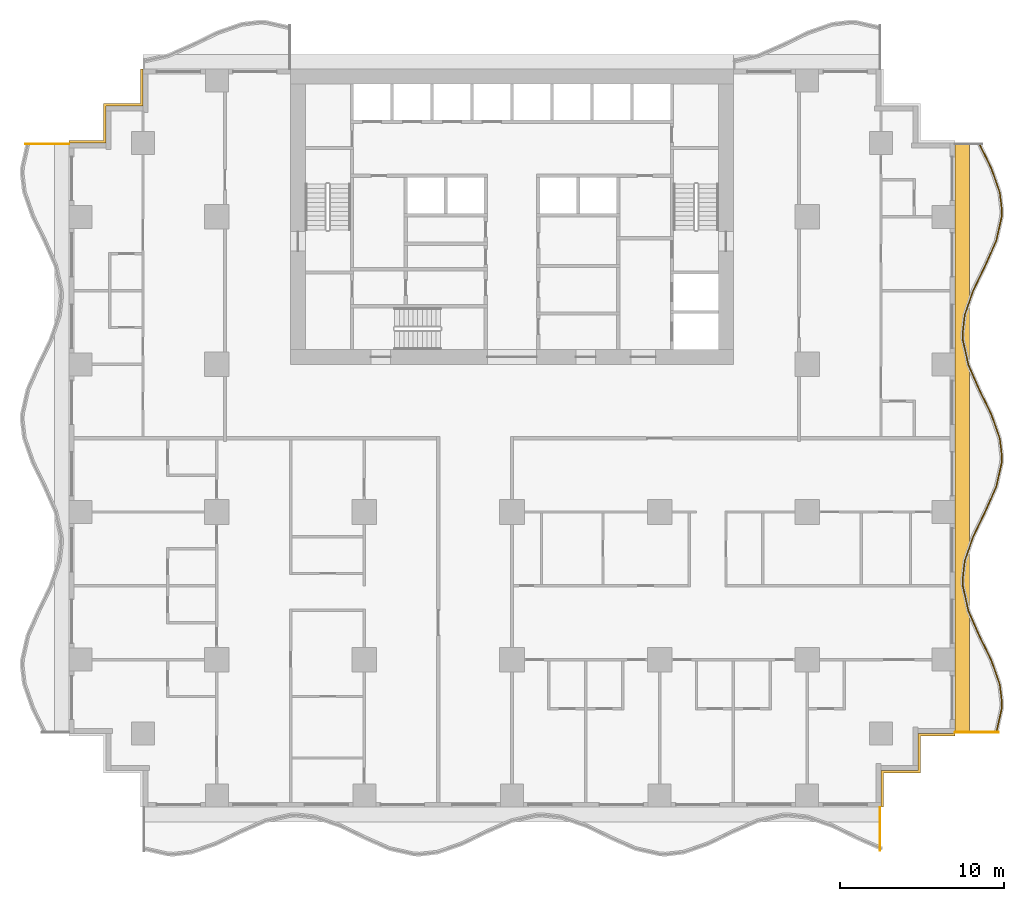
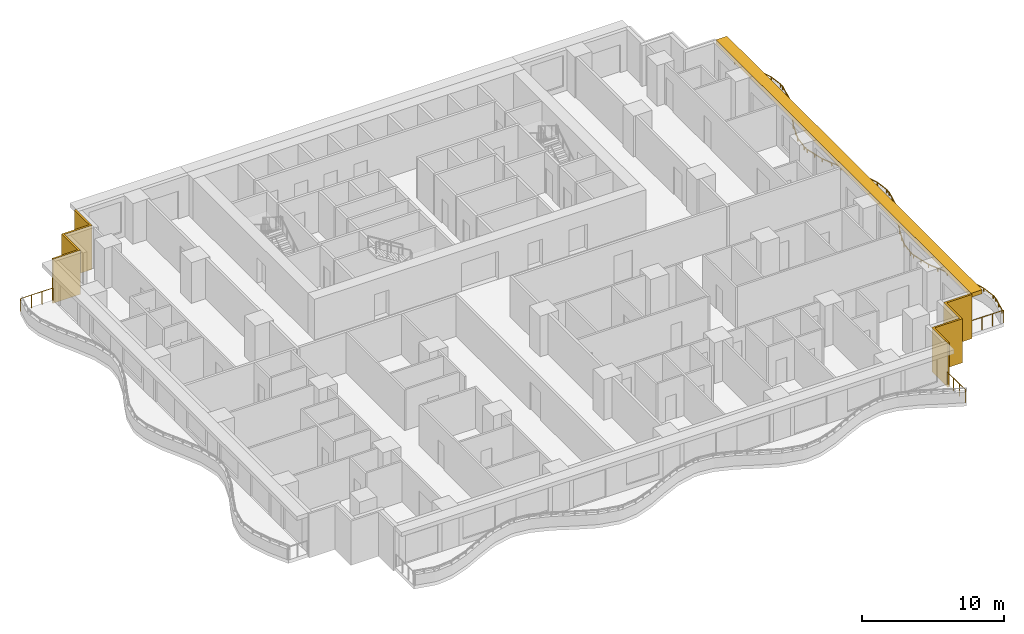
# One storey, part 11 of 14: 4 railings, 3 shading devices.
"""IFC4 building model written with IfcOpenShell, lengths in metres."""

from ifc_helpers import new_model, si_unit, direction, frame, origin, origin_2d, place, context, subcontext, project, spatial, polyline, rectangle, outline, extrude, material, layer, layer_set, type_object, element, save


model = new_model("IFC4")

# Units and contexts
model_context = context("Model", 3, precision=1e-05, world=origin(), true_north=direction((0.0, 1.0)))
body_context = subcontext(model_context, "Body", "Model", "MODEL_VIEW")
ifc_project = project(units=[si_unit("LENGTHUNIT", "METRE"), si_unit("AREAUNIT", "SQUARE_METRE"), si_unit("VOLUMEUNIT", "CUBIC_METRE"), si_unit("PLANEANGLEUNIT", "RADIAN"), si_unit("MASSUNIT", "GRAM", prefix="KILO")], contexts=[model_context])

# Site, building, storey
site_placement = place(None, origin())
site = spatial("IfcSite", under=ifc_project, at=site_placement, CompositionType="ELEMENT")
building_placement = place(site_placement, origin())
building = spatial("IfcBuilding", under=site, at=building_placement, Name="Orbiselva Terraces", CompositionType="ELEMENT")
storey_placement = place(building_placement, frame((0.0, 0.0, 49.2)))
storey = spatial("IfcBuildingStorey", under=building, at=storey_placement, Name="L12", CompositionType="ELEMENT", Elevation=49.2)

# Railings
ifc_material_1 = material(Name="Bonded two-ply safety glass balustrade, stainless steel posts", Category="steel")
railing_type_1 = type_object("IfcRailingType", Name="ENV-BALUSTRADE-1200", PredefinedType="BALUSTRADE", material=ifc_material_1)
railing_1_placement = place(storey_placement, frame((29.526563, -17.972623, 0.9)))
element("IfcRailing", 1, at=railing_1_placement, inside=storey, type_object=railing_type_1, Name="Balcony balustrade L12 E", PredefinedType="BALUSTRADE", context=body_context, shape_type="SweptSolid", body=[
    extrude(outline(polyline([(0.028868, 0.0), (0.014434, 0.025), (-0.014434, 0.025), (-0.028868, 0.0), (-0.014434, -0.025), (0.014434, -0.025), (0.028868, 0.0)])), frame((0.0, 0.0, 0.275), z_axis=(0.21901575501, 0.975721322437, 0.0), x_axis=(-0.975721322437, 0.21901575501, 0.0)), (0.0, 0.0, 1.0), 1.525954),
    extrude(outline(polyline([(0.028868, 0.0), (0.014434, 0.025), (-0.014434, 0.025), (-0.028868, 0.0), (-0.014434, -0.025), (0.014434, -0.025), (0.028868, 0.0)])), frame((0.334208, 1.488906, 0.275), z_axis=(0.039364150694, 0.999224931454, 0.0), x_axis=(-0.999224931454, 0.039364150694, 0.0)), (0.0, 0.0, 1.0), 0.354206),
    extrude(outline(polyline([(0.028868, 0.0), (0.014434, 0.025), (-0.014434, 0.025), (-0.028868, 0.0), (-0.014434, -0.025), (0.014434, -0.025), (0.028868, 0.0)])), frame((0.348151, 1.842837, 0.275), z_axis=(-0.115481264762, 0.993309658409, 0.0), x_axis=(-0.993309658409, -0.115481264762, 0.0)), (0.0, 0.0, 1.0), 1.10902),
    extrude(outline(polyline([(0.028868, 0.0), (0.014434, 0.025), (-0.014434, 0.025), (-0.028868, 0.0), (-0.014434, -0.025), (0.014434, -0.025), (0.028868, 0.0)])), frame((0.22008, 2.944437, 0.275), z_axis=(-0.330024754707, 0.943972277814, 0.0), x_axis=(-0.943972277814, -0.330024754707, 0.0)), (0.0, 0.0, 1.0), 1.567807),
    extrude(outline(polyline([(0.028868, 0.0), (0.014434, 0.025), (-0.014434, 0.025), (-0.028868, 0.0), (-0.014434, -0.025), (0.014434, -0.025), (0.028868, 0.0)])), frame((-0.297335, 4.424403, 0.275), z_axis=(-0.438811978768, 0.89857890432, 0.0), x_axis=(-0.89857890432, -0.438811978768, 0.0)), (0.0, 0.0, 1.0), 1.66438),
    extrude(outline(polyline([(0.028868, 0.0), (0.014434, 0.025), (-0.014434, 0.025), (-0.028868, 0.0), (-0.014434, -0.025), (0.014434, -0.025), (0.028868, 0.0)])), frame((-1.027685, 5.91998, 0.275), z_axis=(-0.403150874148, 0.915133527237, 0.0), x_axis=(-0.915133527237, -0.403150874148, 0.0)), (0.0, 0.0, 1.0), 1.653736),
    extrude(outline(polyline([(0.028868, 0.0), (0.014434, 0.025), (-0.014434, 0.025), (-0.028868, 0.0), (-0.014434, -0.025), (0.014434, -0.025), (0.028868, 0.0)])), frame((-1.69439, 7.433369, 0.275), z_axis=(-0.219015500924, 0.97572137947, 0.0), x_axis=(-0.97572137947, -0.219015500924, 0.0)), (0.0, 0.0, 1.0), 1.560867),
    extrude(outline(polyline([(0.028868, 0.0), (0.014434, 0.025), (-0.014434, 0.025), (-0.028868, 0.0), (-0.014434, -0.025), (0.014434, -0.025), (0.028868, 0.0)])), frame((-2.036244, 8.95634, 0.275), z_axis=(-0.03936915532, 0.999224734286, 0.0), x_axis=(-0.999224734286, -0.03936915532, 0.0)), (0.0, 0.0, 1.0), 0.396376),
    extrude(outline(polyline([(0.028868, 0.0), (0.014434, 0.025), (-0.014434, 0.025), (-0.028868, 0.0), (-0.014434, -0.025), (0.014434, -0.025), (0.028868, 0.0)])), frame((-2.051849, 9.352409, 0.275), z_axis=(0.115482182324, 0.993309551734, 0.0), x_axis=(-0.993309551734, 0.115482182324, 0.0)), (0.0, 0.0, 1.0), 1.156135),
    extrude(outline(polyline([(0.028868, 0.0), (0.014434, 0.025), (-0.014434, 0.025), (-0.028868, 0.0), (-0.014434, -0.025), (0.014434, -0.025), (0.028868, 0.0)])), frame((-1.918336, 10.500809, 0.275), z_axis=(0.330024597479, 0.943972332783, 0.0), x_axis=(-0.943972332783, 0.330024597479, 0.0)), (0.0, 0.0, 1.0), 1.610253),
    extrude(outline(polyline([(0.028868, 0.0), (0.014434, 0.025), (-0.014434, 0.025), (-0.028868, 0.0), (-0.014434, -0.025), (0.014434, -0.025), (0.028868, 0.0)])), frame((-1.386913, 12.020843, 0.275), z_axis=(0.438812048596, 0.898578870221, 0.0), x_axis=(-0.898578870221, 0.438812048596, 0.0)), (0.0, 0.0, 1.0), 1.674225),
    extrude(outline(polyline([(0.028868, 0.0), (0.014434, 0.025), (-0.014434, 0.025), (-0.028868, 0.0), (-0.014434, -0.025), (0.014434, -0.025), (0.028868, 0.0)])), frame((-0.652243, 13.525266, 0.275), z_axis=(0.403151245402, 0.915133363686, 0.0), x_axis=(-0.915133363686, 0.403151245402, 0.0)), (0.0, 0.0, 1.0), 1.624475),
    extrude(outline(polyline([(0.028868, 0.0), (0.014434, 0.025), (-0.014434, 0.025), (-0.028868, 0.0), (-0.014434, -0.025), (0.014434, -0.025), (0.028868, 0.0)])), frame((0.002666, 15.011877, 0.275), z_axis=(0.219015740235, 0.975721325753, 0.0), x_axis=(-0.975721325753, 0.219015740235, 0.0)), (0.0, 0.0, 1.0), 1.513782),
    extrude(outline(polyline([(0.028868, 0.0), (0.014434, 0.025), (-0.014434, 0.025), (-0.028868, 0.0), (-0.014434, -0.025), (0.014434, -0.025), (0.028868, 0.0)])), frame((0.334208, 16.488906, 0.275), z_axis=(0.039364150694, 0.999224931454, 0.0), x_axis=(-0.999224931454, 0.039364150694, 0.0)), (0.0, 0.0, 1.0), 0.354206),
    extrude(outline(polyline([(0.028868, 0.0), (0.014434, 0.025), (-0.014434, 0.025), (-0.028868, 0.0), (-0.014434, -0.025), (0.014434, -0.025), (0.028868, 0.0)])), frame((0.348151, 16.842837, 0.275), z_axis=(-0.115481264762, 0.993309658409, 0.0), x_axis=(-0.993309658409, -0.115481264762, 0.0)), (0.0, 0.0, 1.0), 1.10902),
    extrude(outline(polyline([(0.028868, 0.0), (0.014434, 0.025), (-0.014434, 0.025), (-0.028868, 0.0), (-0.014434, -0.025), (0.014434, -0.025), (0.028868, 0.0)])), frame((0.22008, 17.944437, 0.275), z_axis=(-0.330024754707, 0.943972277814, 0.0), x_axis=(-0.943972277814, -0.330024754707, 0.0)), (0.0, 0.0, 1.0), 1.567807),
    extrude(outline(polyline([(0.028868, 0.0), (0.014434, 0.025), (-0.014434, 0.025), (-0.028868, 0.0), (-0.014434, -0.025), (0.014434, -0.025), (0.028868, 0.0)])), frame((-0.297335, 19.424403, 0.275), z_axis=(-0.438811978768, 0.89857890432, 0.0), x_axis=(-0.89857890432, -0.438811978768, 0.0)), (0.0, 0.0, 1.0), 1.66438),
    extrude(outline(polyline([(0.028868, 0.0), (0.014434, 0.025), (-0.014434, 0.025), (-0.028868, 0.0), (-0.014434, -0.025), (0.014434, -0.025), (0.028868, 0.0)])), frame((-1.027685, 20.91998, 0.275), z_axis=(-0.403150874148, 0.915133527237, 0.0), x_axis=(-0.915133527237, -0.403150874148, 0.0)), (0.0, 0.0, 1.0), 1.653736),
    extrude(outline(polyline([(0.028868, 0.0), (0.014434, 0.025), (-0.014434, 0.025), (-0.028868, 0.0), (-0.014434, -0.025), (0.014434, -0.025), (0.028868, 0.0)])), frame((-1.69439, 22.433369, 0.275), z_axis=(-0.219015500924, 0.97572137947, 0.0), x_axis=(-0.97572137947, -0.219015500924, 0.0)), (0.0, 0.0, 1.0), 1.560867),
    extrude(outline(polyline([(0.028868, 0.0), (0.014434, 0.025), (-0.014434, 0.025), (-0.028868, 0.0), (-0.014434, -0.025), (0.014434, -0.025), (0.028868, 0.0)])), frame((-2.036244, 23.95634, 0.275), z_axis=(-0.03936915532, 0.999224734286, 0.0), x_axis=(-0.999224734286, -0.03936915532, 0.0)), (0.0, 0.0, 1.0), 0.396376),
    extrude(outline(polyline([(0.028868, 0.0), (0.014434, 0.025), (-0.014434, 0.025), (-0.028868, 0.0), (-0.014434, -0.025), (0.014434, -0.025), (0.028868, 0.0)])), frame((-2.051849, 24.352409, 0.275), z_axis=(0.115482182324, 0.993309551734, 0.0), x_axis=(-0.993309551734, 0.115482182324, 0.0)), (0.0, 0.0, 1.0), 1.156135),
    extrude(outline(polyline([(0.028868, 0.0), (0.014434, 0.025), (-0.014434, 0.025), (-0.028868, 0.0), (-0.014434, -0.025), (0.014434, -0.025), (0.028868, 0.0)])), frame((-1.918336, 25.500809, 0.275), z_axis=(0.330024597479, 0.943972332783, 0.0), x_axis=(-0.943972332783, 0.330024597479, 0.0)), (0.0, 0.0, 1.0), 1.610253),
    extrude(outline(polyline([(0.028868, 0.0), (0.014434, 0.025), (-0.014434, 0.025), (-0.028868, 0.0), (-0.014434, -0.025), (0.014434, -0.025), (0.028868, 0.0)])), frame((-1.386913, 27.020843, 0.275), z_axis=(0.438812048596, 0.898578870221, 0.0), x_axis=(-0.898578870221, 0.438812048596, 0.0)), (0.0, 0.0, 1.0), 1.674225),
    extrude(outline(polyline([(0.028868, 0.0), (0.014434, 0.025), (-0.014434, 0.025), (-0.028868, 0.0), (-0.014434, -0.025), (0.014434, -0.025), (0.028868, 0.0)])), frame((-0.652243, 28.525266, 0.275), z_axis=(0.403151245402, 0.915133363686, 0.0), x_axis=(-0.915133363686, 0.403151245402, 0.0)), (0.0, 0.0, 1.0), 1.624475),
    extrude(outline(polyline([(0.028868, 0.0), (0.014434, 0.025), (-0.014434, 0.025), (-0.028868, 0.0), (-0.014434, -0.025), (0.014434, -0.025), (0.028868, 0.0)])), frame((0.002666, 30.011877, 0.275), z_axis=(0.219015740235, 0.975721325753, 0.0), x_axis=(-0.975721325753, 0.219015740235, 0.0)), (0.0, 0.0, 1.0), 1.513782),
    extrude(outline(polyline([(0.028868, 0.0), (0.014434, 0.025), (-0.014434, 0.025), (-0.028868, 0.0), (-0.014434, -0.025), (0.014434, -0.025), (0.028868, 0.0)])), frame((0.334208, 31.488906, 0.275), z_axis=(0.039364150694, 0.999224931454, 0.0), x_axis=(-0.999224931454, 0.039364150694, 0.0)), (0.0, 0.0, 1.0), 0.354206),
    extrude(outline(polyline([(0.028868, 0.0), (0.014434, 0.025), (-0.014434, 0.025), (-0.028868, 0.0), (-0.014434, -0.025), (0.014434, -0.025), (0.028868, 0.0)])), frame((0.348151, 31.842837, 0.275), z_axis=(-0.115481264762, 0.993309658409, 0.0), x_axis=(-0.993309658409, -0.115481264762, 0.0)), (0.0, 0.0, 1.0), 1.10902),
    extrude(outline(polyline([(0.028868, 0.0), (0.014434, 0.025), (-0.014434, 0.025), (-0.028868, 0.0), (-0.014434, -0.025), (0.014434, -0.025), (0.028868, 0.0)])), frame((0.22008, 32.944437, 0.275), z_axis=(-0.330024754707, 0.943972277814, 0.0), x_axis=(-0.943972277814, -0.330024754707, 0.0)), (0.0, 0.0, 1.0), 1.567807),
    extrude(outline(polyline([(0.028868, 0.0), (0.014434, 0.025), (-0.014434, 0.025), (-0.028868, 0.0), (-0.014434, -0.025), (0.014434, -0.025), (0.028868, 0.0)])), frame((-0.297335, 34.424403, 0.275), z_axis=(-0.438811853882, 0.898578965307, 0.0), x_axis=(-0.898578965307, -0.438811853882, 0.0)), (0.0, 0.0, 1.0), 1.661922),
    extrude(rectangle(XDim=0.05, YDim=0.05, at=origin_2d()), origin(), (0.0, 0.0, 1.0), 0.25),
    extrude(rectangle(XDim=0.05, YDim=0.05, at=origin_2d()), frame((0.167104, 0.744453, 0.0)), (0.0, 0.0, 1.0), 0.25),
    extrude(rectangle(XDim=0.05, YDim=0.05, at=origin_2d()), frame((0.334208, 1.488906, 0.0)), (0.0, 0.0, 1.0), 0.25),
    extrude(rectangle(XDim=0.05, YDim=0.05, at=origin_2d()), frame((0.348151, 1.842837, 0.0)), (0.0, 0.0, 1.0), 0.25),
    extrude(rectangle(XDim=0.05, YDim=0.05, at=origin_2d()), frame((0.22008, 2.944437, 0.0)), (0.0, 0.0, 1.0), 0.25),
    extrude(rectangle(XDim=0.05, YDim=0.05, at=origin_2d()), frame((-0.038628, 3.68442, 0.0)), (0.0, 0.0, 1.0), 0.25),
    extrude(rectangle(XDim=0.05, YDim=0.05, at=origin_2d()), frame((-0.297335, 4.424403, 0.0)), (0.0, 0.0, 1.0), 0.25),
    extrude(rectangle(XDim=0.05, YDim=0.05, at=origin_2d()), frame((-0.66251, 5.172191, 0.0)), (0.0, 0.0, 1.0), 0.25),
    extrude(rectangle(XDim=0.05, YDim=0.05, at=origin_2d()), frame((-1.027685, 5.91998, 0.0)), (0.0, 0.0, 1.0), 0.25),
    extrude(rectangle(XDim=0.05, YDim=0.05, at=origin_2d()), frame((-1.361037, 6.676674, 0.0)), (0.0, 0.0, 1.0), 0.25),
    extrude(rectangle(XDim=0.05, YDim=0.05, at=origin_2d()), frame((-1.69439, 7.433369, 0.0)), (0.0, 0.0, 1.0), 0.25),
    extrude(rectangle(XDim=0.05, YDim=0.05, at=origin_2d()), frame((-1.865317, 8.194854, 0.0)), (0.0, 0.0, 1.0), 0.25),
    extrude(rectangle(XDim=0.05, YDim=0.05, at=origin_2d()), frame((-2.036244, 8.95634, 0.0)), (0.0, 0.0, 1.0), 0.25),
    extrude(rectangle(XDim=0.05, YDim=0.05, at=origin_2d()), frame((-2.051849, 9.352409, 0.0)), (0.0, 0.0, 1.0), 0.25),
    extrude(rectangle(XDim=0.05, YDim=0.05, at=origin_2d()), frame((-1.918336, 10.500809, 0.0)), (0.0, 0.0, 1.0), 0.25),
    extrude(rectangle(XDim=0.05, YDim=0.05, at=origin_2d()), frame((-1.652624, 11.260826, 0.0)), (0.0, 0.0, 1.0), 0.25),
    extrude(rectangle(XDim=0.05, YDim=0.05, at=origin_2d()), frame((-1.386913, 12.020843, 0.0)), (0.0, 0.0, 1.0), 0.25),
    extrude(rectangle(XDim=0.05, YDim=0.05, at=origin_2d()), frame((-1.019578, 12.773054, 0.0)), (0.0, 0.0, 1.0), 0.25),
    extrude(rectangle(XDim=0.05, YDim=0.05, at=origin_2d()), frame((-0.652243, 13.525266, 0.0)), (0.0, 0.0, 1.0), 0.25),
    extrude(rectangle(XDim=0.05, YDim=0.05, at=origin_2d()), frame((-0.324788, 14.268571, 0.0)), (0.0, 0.0, 1.0), 0.25),
    extrude(rectangle(XDim=0.05, YDim=0.05, at=origin_2d()), frame((0.002666, 15.011877, 0.0)), (0.0, 0.0, 1.0), 0.25),
    extrude(rectangle(XDim=0.05, YDim=0.05, at=origin_2d()), frame((0.168437, 15.750392, 0.0)), (0.0, 0.0, 1.0), 0.25),
    extrude(rectangle(XDim=0.05, YDim=0.05, at=origin_2d()), frame((0.334208, 16.488906, 0.0)), (0.0, 0.0, 1.0), 0.25),
    extrude(rectangle(XDim=0.05, YDim=0.05, at=origin_2d()), frame((0.348151, 16.842837, 0.0)), (0.0, 0.0, 1.0), 0.25),
    extrude(rectangle(XDim=0.05, YDim=0.05, at=origin_2d()), frame((0.22008, 17.944437, 0.0)), (0.0, 0.0, 1.0), 0.25),
    extrude(rectangle(XDim=0.05, YDim=0.05, at=origin_2d()), frame((-0.038628, 18.68442, 0.0)), (0.0, 0.0, 1.0), 0.25),
    extrude(rectangle(XDim=0.05, YDim=0.05, at=origin_2d()), frame((-0.297335, 19.424403, 0.0)), (0.0, 0.0, 1.0), 0.25),
    extrude(rectangle(XDim=0.05, YDim=0.05, at=origin_2d()), frame((-0.66251, 20.172191, 0.0)), (0.0, 0.0, 1.0), 0.25),
    extrude(rectangle(XDim=0.05, YDim=0.05, at=origin_2d()), frame((-1.027685, 20.91998, 0.0)), (0.0, 0.0, 1.0), 0.25),
    extrude(rectangle(XDim=0.05, YDim=0.05, at=origin_2d()), frame((-1.361037, 21.676674, 0.0)), (0.0, 0.0, 1.0), 0.25),
    extrude(rectangle(XDim=0.05, YDim=0.05, at=origin_2d()), frame((-1.69439, 22.433369, 0.0)), (0.0, 0.0, 1.0), 0.25),
    extrude(rectangle(XDim=0.05, YDim=0.05, at=origin_2d()), frame((-1.865317, 23.194854, 0.0)), (0.0, 0.0, 1.0), 0.25),
    extrude(rectangle(XDim=0.05, YDim=0.05, at=origin_2d()), frame((-2.036244, 23.95634, 0.0)), (0.0, 0.0, 1.0), 0.25),
    extrude(rectangle(XDim=0.05, YDim=0.05, at=origin_2d()), frame((-2.051849, 24.352409, 0.0)), (0.0, 0.0, 1.0), 0.25),
    extrude(rectangle(XDim=0.05, YDim=0.05, at=origin_2d()), frame((-1.918336, 25.500809, 0.0)), (0.0, 0.0, 1.0), 0.25),
    extrude(rectangle(XDim=0.05, YDim=0.05, at=origin_2d()), frame((-1.652624, 26.260826, 0.0)), (0.0, 0.0, 1.0), 0.25),
    extrude(rectangle(XDim=0.05, YDim=0.05, at=origin_2d()), frame((-1.386913, 27.020843, 0.0)), (0.0, 0.0, 1.0), 0.25),
    extrude(rectangle(XDim=0.05, YDim=0.05, at=origin_2d()), frame((-1.019578, 27.773054, 0.0)), (0.0, 0.0, 1.0), 0.25),
    extrude(rectangle(XDim=0.05, YDim=0.05, at=origin_2d()), frame((-0.652243, 28.525266, 0.0)), (0.0, 0.0, 1.0), 0.25),
    extrude(rectangle(XDim=0.05, YDim=0.05, at=origin_2d()), frame((-0.324788, 29.268572, 0.0)), (0.0, 0.0, 1.0), 0.25),
    extrude(rectangle(XDim=0.05, YDim=0.05, at=origin_2d()), frame((0.002666, 30.011877, 0.0)), (0.0, 0.0, 1.0), 0.25),
    extrude(rectangle(XDim=0.05, YDim=0.05, at=origin_2d()), frame((0.168437, 30.750392, 0.0)), (0.0, 0.0, 1.0), 0.25),
    extrude(rectangle(XDim=0.05, YDim=0.05, at=origin_2d()), frame((0.334208, 31.488906, 0.0)), (0.0, 0.0, 1.0), 0.25),
    extrude(rectangle(XDim=0.05, YDim=0.05, at=origin_2d()), frame((0.348151, 31.842837, 0.0)), (0.0, 0.0, 1.0), 0.25),
    extrude(rectangle(XDim=0.05, YDim=0.05, at=origin_2d()), frame((0.22008, 32.944437, 0.0)), (0.0, 0.0, 1.0), 0.25),
    extrude(rectangle(XDim=0.05, YDim=0.05, at=origin_2d()), frame((-0.038628, 33.68442, 0.0)), (0.0, 0.0, 1.0), 0.25),
    extrude(rectangle(XDim=0.05, YDim=0.05, at=origin_2d()), frame((-0.297335, 34.424403, 0.0)), (0.0, 0.0, 1.0), 0.25),
    extrude(rectangle(XDim=0.05, YDim=0.05, at=origin_2d()), frame((-0.661971, 35.171087, 0.0)), (0.0, 0.0, 1.0), 0.25),
    extrude(rectangle(XDim=0.05, YDim=0.05, at=origin_2d()), frame((-1.026606, 35.917771, 0.0)), (0.0, 0.0, 1.0), 0.25),
])
ifc_material_2 = material(Name="Stainless steel rail and posts", Category="steel")
railing_type_2 = type_object("IfcRailingType", Name="ENV-GUARD-1105", PredefinedType="BALUSTRADE", material=ifc_material_2)
railing_2_placement = place(storey_placement, frame((22.44, -25.126937, 0.0)))
element("IfcRailing", 2, at=railing_2_placement, inside=storey, type_object=railing_type_2, Name="Balcony end guard L12 S", PredefinedType="BALUSTRADE", context=body_context, shape_type="SweptSolid", body=[
    extrude(outline(polyline([(0.028868, 0.0), (0.014434, 0.025), (-0.014434, 0.025), (-0.028868, 0.0), (-0.014434, -0.025), (0.014434, -0.025), (0.028868, 0.0)])), frame((0.0, 0.0, 1.08), z_axis=(0.0, 1.0, 0.0), x_axis=(-1.0, 0.0, 0.0)), (0.0, 0.0, 1.0), 2.601937),
    extrude(rectangle(XDim=0.05, YDim=0.05, at=origin_2d()), origin(), (0.0, 0.0, 1.0), 1.055),
    extrude(rectangle(XDim=0.05, YDim=0.05, at=origin_2d()), frame((0.0, 0.867312, 0.0)), (0.0, 0.0, 1.0), 1.055),
    extrude(rectangle(XDim=0.05, YDim=0.05, at=origin_2d()), frame((0.0, 1.734625, 0.0)), (0.0, 0.0, 1.0), 1.055),
    extrude(rectangle(XDim=0.05, YDim=0.05, at=origin_2d()), frame((0.0, 2.601937, 0.0)), (0.0, 0.0, 1.0), 1.055),
])
railing_3_placement = place(storey_placement, frame((29.669584, -17.94, 0.0)))
element("IfcRailing", 3, at=railing_3_placement, inside=storey, type_object=railing_type_2, Name="Balcony end guard L12 E", PredefinedType="BALUSTRADE", context=body_context, shape_type="SweptSolid", body=[
    extrude(outline(polyline([(0.028868, 0.0), (0.014434, 0.025), (-0.014434, 0.025), (-0.028868, 0.0), (-0.014434, -0.025), (0.014434, -0.025), (0.028868, 0.0)])), frame((0.0, 0.0, 1.08), z_axis=(-1.0, 0.0, 0.0), x_axis=(0.0, -1.0, 0.0)), (0.0, 0.0, 1.0), 2.644584),
    extrude(rectangle(XDim=0.05, YDim=0.05, at=origin_2d()), origin(), (0.0, 0.0, 1.0), 1.055),
    extrude(rectangle(XDim=0.05, YDim=0.05, at=origin_2d()), frame((-0.881528, 0.0, 0.0)), (0.0, 0.0, 1.0), 1.055),
    extrude(rectangle(XDim=0.05, YDim=0.05, at=origin_2d()), frame((-1.763056, 0.0, 0.0)), (0.0, 0.0, 1.0), 1.055),
    extrude(rectangle(XDim=0.05, YDim=0.05, at=origin_2d()), frame((-2.644584, 0.0, 0.0)), (0.0, 0.0, 1.0), 1.055),
])
railing_4_placement = place(storey_placement, frame((-29.669584, 17.94, 0.0)))
element("IfcRailing", 4, at=railing_4_placement, inside=storey, type_object=railing_type_2, Name="Balcony end guard L12 W", PredefinedType="BALUSTRADE", context=body_context, shape_type="SweptSolid", body=[
    extrude(outline(polyline([(0.028868, 0.0), (0.014434, 0.025), (-0.014434, 0.025), (-0.028868, 0.0), (-0.014434, -0.025), (0.014434, -0.025), (0.028868, 0.0)])), frame((0.0, 0.0, 1.08), z_axis=(1.0, 0.0, 0.0), x_axis=(0.0, 1.0, 0.0)), (0.0, 0.0, 1.0), 2.644584),
    extrude(rectangle(XDim=0.05, YDim=0.05, at=origin_2d()), origin(), (0.0, 0.0, 1.0), 1.055),
    extrude(rectangle(XDim=0.05, YDim=0.05, at=origin_2d()), frame((0.881528, 0.0, 0.0)), (0.0, 0.0, 1.0), 1.055),
    extrude(rectangle(XDim=0.05, YDim=0.05, at=origin_2d()), frame((1.763056, 0.0, 0.0)), (0.0, 0.0, 1.0), 1.055),
    extrude(rectangle(XDim=0.05, YDim=0.05, at=origin_2d()), frame((2.644584, 0.0, 0.0)), (0.0, 0.0, 1.0), 1.055),
])

# Shading devices
ifc_material_3 = material(Name="Terracotta louvre screen", Category="masonry")
ifc_layer_1 = layer(ifc_material_3, 0.15)
ifc_layer_set_1 = layer_set([ifc_layer_1], Name="Terracotta louvre screen")
shading_device_type_1 = type_object("IfcShadingDeviceType", Name="ENV-SCREEN-150", PredefinedType="USERDEFINED", material=ifc_layer_set_1)
shading_device_1_placement = place(storey_placement, frame((0.0, 0.0, -0.3)))
element("IfcShadingDevice", 5, at=shading_device_1_placement, inside=storey, type_object=shading_device_type_1, Name="Louvre screen L12 NW", ObjectType="SCREEN", PredefinedType="USERDEFINED", context=body_context, shape_type="SweptSolid", body=[
    extrude(outline(polyline([(-22.65, 22.5), (-22.65, 20.4), (-24.9, 20.4), (-24.9, 18.15), (-27.0, 18.15), (-27.0, 18.0), (-24.75, 18.0), (-24.75, 20.25), (-22.5, 20.25), (-22.5, 22.5), (-22.65, 22.5)])), origin(), (0.0, 0.0, 1.0), 3.8),
])
shading_device_2_placement = place(storey_placement, frame((0.0, 0.0, -0.3)))
element("IfcShadingDevice", 6, at=shading_device_2_placement, inside=storey, type_object=shading_device_type_1, Name="Louvre screen L12 SE", ObjectType="SCREEN", PredefinedType="USERDEFINED", context=body_context, shape_type="SweptSolid", body=[
    extrude(outline(polyline([(22.65, -22.5), (22.65, -20.4), (24.9, -20.4), (24.9, -18.15), (27.0, -18.15), (27.0, -18.0), (24.75, -18.0), (24.75, -20.25), (22.5, -20.25), (22.5, -22.5), (22.65, -22.5)])), origin(), (0.0, 0.0, 1.0), 3.8),
])
ifc_material_4 = material(Name="Terracotta baguette sunshade", Category="masonry")
ifc_layer_2 = layer(ifc_material_4, 0.35)
ifc_layer_set_2 = layer_set([ifc_layer_2], Name="Terracotta baguette sunshade")
shading_device_type_2 = type_object("IfcShadingDeviceType", Name="ENV-SUNSHADE-900x350", PredefinedType="USERDEFINED", material=ifc_layer_set_2)
shading_device_3_placement = place(storey_placement, frame((0.0, 0.0, 3.15)))
element("IfcShadingDevice", 7, at=shading_device_3_placement, inside=storey, type_object=shading_device_type_2, Name="Sunshade band L12 E", ObjectType="SUNSHADE", PredefinedType="USERDEFINED", context=body_context, shape_type="SweptSolid", body=[
    extrude(outline(polyline([(27.9, -18.0), (27.9, 18.0), (27.0, 18.0), (27.0, -18.0), (27.9, -18.0)])), origin(), (0.0, 0.0, 1.0), 0.35),
])

save(model, "model.ifc")
